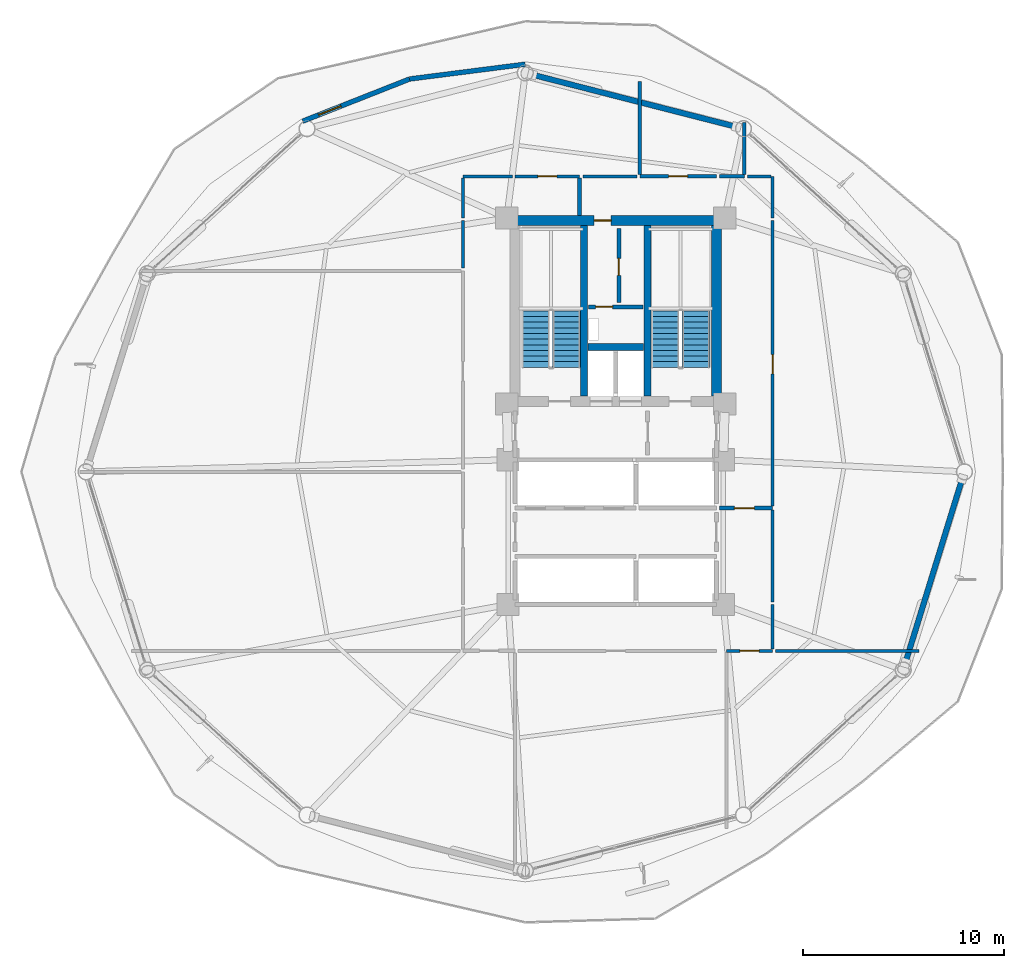
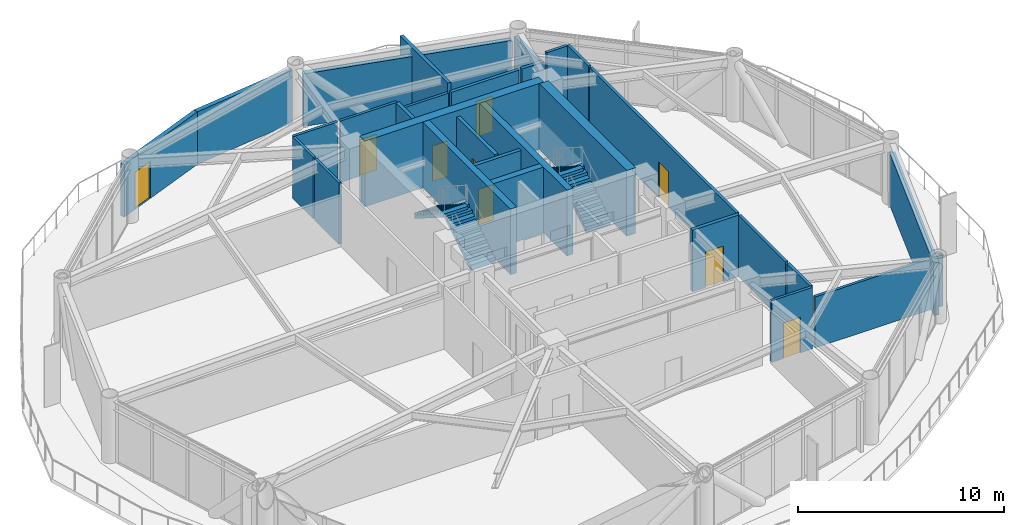
# One storey, part 20 of 23: 29 walls, 9 doors, 4 stair flights, 9 openings, 2 elements without a shape of their own.
"""IFC4 building model written with IfcOpenShell, lengths in metres."""

from ifc_helpers import new_model, si_unit, direction, frame, frame_2d, origin, place, context, subcontext, project, spatial, polyline, rectangle, outline, extrude, material, layer, layer_set, type_object, element, fill, aggregate, save


model = new_model("IFC4")

# Units and contexts
model_context = context("Model", 3, precision=1e-05, world=origin(), true_north=direction((0.0, 1.0)))
body_context = subcontext(model_context, "Body", "Model", "MODEL_VIEW")
ifc_project = project(units=[si_unit("LENGTHUNIT", "METRE"), si_unit("AREAUNIT", "SQUARE_METRE"), si_unit("VOLUMEUNIT", "CUBIC_METRE"), si_unit("PLANEANGLEUNIT", "RADIAN"), si_unit("MASSUNIT", "GRAM", prefix="KILO")], contexts=[model_context])

# Site, building, storey
site_placement = place(None, origin())
site = spatial("IfcSite", under=ifc_project, at=site_placement, CompositionType="ELEMENT")
building_placement = place(site_placement, origin())
building = spatial("IfcBuilding", under=site, at=building_placement, Name="Varnakorn Sky Granary", CompositionType="ELEMENT")
storey_placement = place(building_placement, frame((0.0, 0.0, 83.699951171875)))
storey = spatial("IfcBuildingStorey", under=building, at=storey_placement, Name="L20", CompositionType="ELEMENT", Elevation=83.699951171875)

# Walls
ifc_material_1 = material(Name="Concrete C50/60", Category="concrete")
ifc_layer_1 = layer(ifc_material_1, 0.35009765625, Name="Concrete C50/60")
ifc_layer_set_1 = layer_set([ifc_layer_1], Name="Concrete C50/60")
wall_type_1 = type_object("IfcWallType", Name="WT-CW-INT-350", PredefinedType="SHEAR", material=ifc_layer_set_1)
for number, where, z_axis, x_axis, name in (
    (1, (1.419921875, 3.760009765625, 0.0), (0.0, 0.0, 1.0), (0.0, 1.0, 0.0), "Stair ST-1 Core Wall L20"),
    (2, (4.580078125, 3.760009765625, 0.0), (0.0, 0.0, 1.0), (0.0, 1.0, 0.0), "Stair ST-2 Core Wall L20"),
):
    element("IfcWall", number, at=place(storey_placement, frame(where, z_axis=z_axis, x_axis=x_axis)), inside=storey, type_object=wall_type_1, Name=name, PredefinedType="SHEAR", context=body_context, shape_type="SweptSolid", body=[
        extrude(rectangle(XDim=8.47998046875, YDim=0.35009765625, at=frame_2d((4.239990234375, 0.0))), origin(), (0.0, 0.0, 1.0), 3.89208984375),
    ])
wall_1_placement = place(storey_placement, frame((1.610107421875, 6.199951171875, 0.0), z_axis=(0.0, 0.0, 1.0), x_axis=(1.0, 0.0, 0.0)))
element("IfcWall", 3, at=wall_1_placement, inside=storey, type_object=wall_type_1, Name="Core Lift Shaft Cross Wall L20", PredefinedType="SHEAR", context=body_context, shape_type="SweptSolid", body=[
    extrude(rectangle(XDim=2.77978515625, YDim=0.35009765625, at=frame_2d((1.389892578125, 0.0))), origin(), (0.0, 0.0, 1.0), 3.89208984375),
])

# Wall, opening, door
ifc_material_2 = material(Name="Concrete C60/75", Category="concrete")
ifc_layer_2 = layer(ifc_material_2, 0.5, Name="Concrete C60/75")
ifc_layer_set_2 = layer_set([ifc_layer_2], Name="Concrete C60/75")
wall_type_2 = type_object("IfcWallType", Name="WT-CW-SHEAR-500", PredefinedType="SHEAR", material=ifc_layer_set_2)
wall_2_placement = place(storey_placement, frame((-2.0, 12.5, 0.0), z_axis=(0.0, 0.0, 1.0), x_axis=(1.0, 0.0, 0.0)))
wall_2 = element("IfcWall", 4, at=wall_2_placement, inside=storey, type_object=wall_type_2, Name="Core North Shear Wall L20", PredefinedType="SHEAR", context=body_context, shape_type="SweptSolid", body=[
    extrude(rectangle(XDim=10.0, YDim=0.5, at=frame_2d((5.0, 0.0))), origin(), (0.0, 0.0, 1.0), 3.89208984375),
])
opening_1_placement = place(wall_2_placement, frame((3.919921875, 0.0, 0.0)))
opening_1 = element("IfcOpeningElement", 5, at=opening_1_placement, cuts=wall_2, Name="Opening FD-60N", PredefinedType="OPENING", context=body_context, shape_type="SweptSolid", body=[
    extrude(rectangle(XDim=0.85009765625, YDim=2.10009765625, at=frame_2d((0.425048828125, 1.050048828125))), frame((0.0, 0.260009765625, 0.0), z_axis=(0.0, -1.0, 0.0), x_axis=(1.0, 0.0, 0.0)), (0.0, 0.0, 1.0), 0.52001953125),
])
ifc_material_3 = material(Name="Acoustic Timber Fire Leaf", Category="wood")
door_type_1 = type_object("IfcDoorType", Name="DR-FD60-850", OperationType="NOTDEFINED", PredefinedType="DOOR", material=ifc_material_3)
door_1_placement = place(opening_1_placement, origin())
door_1 = element("IfcDoor", 6, at=door_1_placement, inside=storey, type_object=door_type_1, Name="Core North Service Door L20", OperationType="SINGLE_SWING_RIGHT", OverallHeight=2.10009765625, OverallWidth=0.85009765625, PredefinedType="DOOR", context=body_context, shape_type="SweptSolid", body=[
    extrude(rectangle(XDim=0.85009765625, YDim=2.10009765625, at=frame_2d((0.425048828125, 1.050048828125))), frame((0.0, 0.02490234375, 0.0), z_axis=(0.0, -1.0, 0.0), x_axis=(1.0, 0.0, 0.0)), (0.0, 0.0, 1.0), 0.050048828125),
])
fill(opening_1, door_1)

# Walls
wall_3_placement = place(storey_placement, frame((8.0, 3.760009765625, 0.0), z_axis=(0.0, 0.0, 1.0), x_axis=(0.0, 1.0, 0.0)))
element("IfcWall", 7, at=wall_3_placement, inside=storey, type_object=wall_type_2, Name="Core East Shear Wall L20", PredefinedType="SHEAR", context=body_context, shape_type="SweptSolid", body=[
    extrude(rectangle(XDim=8.47998046875, YDim=0.5, at=frame_2d((4.239990234375, 0.0))), origin(), (0.0, 0.0, 1.0), 3.89208984375),
])
ifc_material_4 = material(Name="Precast concrete C40/50", Category="concrete")
ifc_layer_3 = layer(ifc_material_4, 0.239990234375, Name="Precast concrete C40/50")
ifc_layer_set_3 = layer_set([ifc_layer_3], Name="Precast concrete C40/50")
wall_type_3 = type_object("IfcWallType", Name="WT-EW-BAL-260", PredefinedType="SOLIDWALL", material=ifc_layer_set_3)
wall_4_placement = place(storey_placement, frame((-7.252197265625, 19.537841796875, 0.0), z_axis=(0.0, 0.0, 1.0), x_axis=(0.991953942336, 0.12659927442, 0.0)))
element("IfcWall", 8, at=wall_4_placement, inside=storey, type_object=wall_type_3, Name="Balcony Threshold Facade Wall L20-B04A", PredefinedType="SOLIDWALL", context=body_context, shape_type="SweptSolid", body=[
    extrude(rectangle(XDim=5.798828125, YDim=0.239990234375, at=frame_2d((2.8994140625, 0.0))), origin(), (0.0, 0.0, 1.0), 3.110107421875),
])

# Wall, opening, door
wall_5_placement = place(storey_placement, frame((-12.5673828125, 17.439208984375, 0.0), z_axis=(0.0, 0.0, 1.0), x_axis=(0.930123348332, 0.367247269407, 0.0)))
wall_5 = element("IfcWall", 9, at=wall_5_placement, inside=storey, type_object=wall_type_3, Name="Balcony Return Facade Wall L20-B04B", PredefinedType="SOLIDWALL", context=body_context, shape_type="SweptSolid", body=[
    extrude(rectangle(XDim=5.714599609375, YDim=0.239990234375, at=frame_2d((2.857421875, 0.0))), origin(), (0.0, 0.0, 1.0), 3.110107421875),
])
opening_2_placement = place(wall_5_placement, frame((0.85009765625, 0.0, 0.0)))
opening_2 = element("IfcOpeningElement", 10, at=opening_2_placement, cuts=wall_5, Name="Opening BD-01", PredefinedType="OPENING", context=body_context, shape_type="SweptSolid", body=[
    extrude(rectangle(XDim=1.199951171875, YDim=2.199951171875, at=frame_2d((0.60009765625, 1.10009765625))), frame((0.0, 0.1298828125, 0.0), z_axis=(0.0, -1.0, 0.0), x_axis=(1.0, 0.0, 0.0)), (0.0, 0.0, 1.0), 0.260009765625),
])
ifc_material_5 = material(Name="Anodised Bronze Aluminium Alloy 6063-T6", Category="aluminium")
door_type_2 = type_object("IfcDoorType", Name="DR-BAL-1200", OperationType="NOTDEFINED", PredefinedType="DOOR", material=ifc_material_5)
door_2_placement = place(opening_2_placement, origin())
door_2 = element("IfcDoor", 11, at=door_2_placement, inside=storey, type_object=door_type_2, Name="Sky-Farm Balcony Access Door L20", OperationType="SINGLE_SWING_RIGHT", OverallHeight=2.199951171875, OverallWidth=1.199951171875, PredefinedType="DOOR", context=body_context, shape_type="SweptSolid", body=[
    extrude(rectangle(XDim=1.199951171875, YDim=2.199951171875, at=frame_2d((0.60009765625, 1.10009765625))), frame((0.0, 0.02490234375, 0.0), z_axis=(0.0, -1.0, 0.0), x_axis=(1.0, 0.0, 0.0)), (0.0, 0.0, 1.0), 0.050048828125),
])
fill(opening_2, door_2)

# Walls
ifc_layer_4 = layer(ifc_material_4, 0.280029296875, Name="Precast concrete C40/50")
ifc_layer_set_4 = layer_set([ifc_layer_4], Name="Precast concrete C40/50")
wall_type_4 = type_object("IfcWallType", Name="WT-EW-CRN-280", PredefinedType="SOLIDWALL", material=ifc_layer_set_4)
wall_6_placement = place(storey_placement, frame((-1.14990234375, 19.75244140625, 0.0), z_axis=(0.0, 0.0, 1.0), x_axis=(0.968827937692, -0.247734590132, 0.0)))
element("IfcWall", 12, at=wall_6_placement, inside=storey, type_object=wall_type_4, Name="Agritech Insulated Precast Facade Wall L20-P03", PredefinedType="SOLIDWALL", context=body_context, shape_type="SweptSolid", body=[
    extrude(rectangle(XDim=10.478759765625, YDim=0.280029296875, at=frame_2d((5.2392578125, 0.0))), origin(), (0.0, 0.0, 1.0), 3.110107421875),
])
wall_7_placement = place(storey_placement, frame((20.2333984375, -0.345458984375, 0.0), z_axis=(0.0, 0.0, 1.0), x_axis=(-0.295069648404, -0.955475746731, 0.0)))
element("IfcWall", 13, at=wall_7_placement, inside=storey, type_object=wall_type_4, Name="Agritech Insulated Precast Facade Wall L20-P12", PredefinedType="SOLIDWALL", context=body_context, shape_type="SweptSolid", body=[
    extrude(rectangle(XDim=9.589599609375, YDim=0.280029296875, at=frame_2d((4.794921875, 0.0))), origin(), (0.0, 0.0, 1.0), 3.110107421875),
])

# Wall, opening, door
ifc_material_6 = material(Name="Autoclaved Aerated Concrete Blockwork", Category="masonry")
ifc_layer_5 = layer(ifc_material_6, 0.199951171875, Name="Autoclaved Aerated Concrete Blockwork")
ifc_layer_set_5 = layer_set([ifc_layer_5], Name="Autoclaved Aerated Concrete Blockwork")
wall_type_5 = type_object("IfcWallType", Name="WT-FIRE-200", PredefinedType="MOVABLE", material=ifc_layer_set_5)
wall_8_placement = place(storey_placement, frame((1.64990234375, 8.199951171875, 0.0), z_axis=(0.0, 0.0, 1.0), x_axis=(1.0, 0.0, 0.0)))
wall_8 = element("IfcWall", 14, at=wall_8_placement, inside=storey, type_object=wall_type_5, Name="Interior Partition Wall L20-015", PredefinedType="MOVABLE", context=body_context, shape_type="SweptSolid", body=[
    extrude(rectangle(XDim=2.7001953125, YDim=0.199951171875, at=frame_2d((1.35009765625, 0.0))), origin(), (0.0, 0.0, 1.0), 3.64013671875),
])
opening_3_placement = place(wall_8_placement, frame((0.35009765625, 0.0, 0.0)))
opening_3 = element("IfcOpeningElement", 15, at=opening_3_placement, cuts=wall_8, Name="Opening FD-60N", PredefinedType="OPENING", context=body_context, shape_type="SweptSolid", body=[
    extrude(rectangle(XDim=0.85009765625, YDim=2.10009765625, at=frame_2d((0.425048828125, 1.050048828125))), frame((0.0, 0.10986328125, 0.0), z_axis=(0.0, -1.0, 0.0), x_axis=(1.0, 0.0, 0.0)), (0.0, 0.0, 1.0), 0.219970703125),
])
door_3_placement = place(opening_3_placement, origin())
door_3 = element("IfcDoor", 16, at=door_3_placement, inside=storey, type_object=door_type_1, Name="Interior Door L20-015-1", OperationType="SINGLE_SWING_RIGHT", OverallHeight=2.10009765625, OverallWidth=0.85009765625, PredefinedType="DOOR", context=body_context, shape_type="SweptSolid", body=[
    extrude(rectangle(XDim=0.85009765625, YDim=2.10009765625, at=frame_2d((0.425048828125, 1.050048828125))), frame((0.0, 0.02490234375, 0.0), z_axis=(0.0, -1.0, 0.0), x_axis=(1.0, 0.0, 0.0)), (0.0, 0.0, 1.0), 0.050048828125),
])
fill(opening_3, door_3)

wall_9_placement = place(storey_placement, frame((3.14990234375, 8.429931640625, 0.0), z_axis=(0.0, 0.0, 1.0), x_axis=(0.0, 1.0, 0.0)))
wall_9 = element("IfcWall", 17, at=wall_9_placement, inside=storey, type_object=wall_type_5, Name="Interior Partition Wall L20-016", PredefinedType="MOVABLE", context=body_context, shape_type="SweptSolid", body=[
    extrude(rectangle(XDim=3.670166015625, YDim=0.199951171875, at=frame_2d((1.8349609375, 0.0))), origin(), (0.0, 0.0, 1.0), 3.64013671875),
])
opening_4_placement = place(wall_9_placement, frame((1.340087890625, 0.0, 0.0)))
opening_4 = element("IfcOpeningElement", 18, at=opening_4_placement, cuts=wall_9, Name="Opening FD-60N", PredefinedType="OPENING", context=body_context, shape_type="SweptSolid", body=[
    extrude(rectangle(XDim=0.85009765625, YDim=2.10009765625, at=frame_2d((0.425048828125, 1.050048828125))), frame((0.0, 0.10986328125, 0.0), z_axis=(0.0, -1.0, 0.0), x_axis=(1.0, 0.0, 0.0)), (0.0, 0.0, 1.0), 0.219970703125),
])
door_4_placement = place(opening_4_placement, origin())
door_4 = element("IfcDoor", 19, at=door_4_placement, inside=storey, type_object=door_type_1, Name="Interior Door L20-016-1", OperationType="SINGLE_SWING_LEFT", OverallHeight=2.10009765625, OverallWidth=0.85009765625, PredefinedType="DOOR", context=body_context, shape_type="SweptSolid", body=[
    extrude(rectangle(XDim=0.85009765625, YDim=2.10009765625, at=frame_2d((0.425048828125, 1.050048828125))), frame((0.0, 0.02490234375, 0.0), z_axis=(0.0, -1.0, 0.0), x_axis=(1.0, 0.0, 0.0)), (0.0, 0.0, 1.0), 0.050048828125),
])
fill(opening_4, door_4)

wall_10_placement = place(storey_placement, frame((8.159912109375, -1.800048828125, 0.0), z_axis=(0.0, 0.0, 1.0), x_axis=(1.0, 0.0, 0.0)))
wall_10 = element("IfcWall", 20, at=wall_10_placement, inside=storey, type_object=wall_type_5, Name="Interior Partition Wall L20-022", PredefinedType="MOVABLE", context=body_context, shape_type="SweptSolid", body=[
    extrude(rectangle(XDim=2.64013671875, YDim=0.199951171875, at=frame_2d((1.320068359375, 0.0))), origin(), (0.0, 0.0, 1.0), 3.64013671875),
])
opening_5_placement = place(wall_10_placement, frame((0.739990234375, 0.0, 0.0)))
opening_5 = element("IfcOpeningElement", 21, at=opening_5_placement, cuts=wall_10, Name="Opening FD-60", PredefinedType="OPENING", context=body_context, shape_type="SweptSolid", body=[
    extrude(rectangle(XDim=1.0, YDim=2.10009765625, at=frame_2d((0.5, 1.050048828125))), frame((0.0, 0.10986328125, 0.0), z_axis=(0.0, -1.0, 0.0), x_axis=(1.0, 0.0, 0.0)), (0.0, 0.0, 1.0), 0.219970703125),
])
door_type_3 = type_object("IfcDoorType", Name="DR-FD60-1000", OperationType="NOTDEFINED", PredefinedType="DOOR", material=ifc_material_3)
door_5_placement = place(opening_5_placement, origin())
door_5 = element("IfcDoor", 22, at=door_5_placement, inside=storey, type_object=door_type_3, Name="Interior Door L20-022-1", OperationType="SINGLE_SWING_LEFT", OverallHeight=2.10009765625, OverallWidth=1.0, PredefinedType="DOOR", context=body_context, shape_type="SweptSolid", body=[
    extrude(rectangle(XDim=1.0, YDim=2.10009765625, at=frame_2d((0.5, 1.050048828125))), frame((0.0, 0.02490234375, 0.0), z_axis=(0.0, -1.0, 0.0), x_axis=(1.0, 0.0, 0.0)), (0.0, 0.0, 1.0), 0.050048828125),
])
fill(opening_5, door_5)

# Wall
wall_11_placement = place(storey_placement, frame((1.199951171875, 14.614990234375, 0.0), z_axis=(0.0, 0.0, 1.0), x_axis=(0.0, -1.0, 0.0)))
element("IfcWall", 23, at=wall_11_placement, inside=storey, type_object=wall_type_5, Name="Interior Partition Wall L20-032", PredefinedType="MOVABLE", context=body_context, shape_type="SweptSolid", body=[
    extrude(rectangle(XDim=1.85498046875, YDim=0.199951171875, at=frame_2d((0.927490234375, 0.0))), origin(), (0.0, 0.0, 1.0), 3.64013671875),
])

# Wall, opening, door
ifc_material_7 = material(Name="Gypsum Plasterboard on Steel Stud", Category="steel")
ifc_layer_6 = layer(ifc_material_7, 0.14990234375, Name="Gypsum Plasterboard on Steel Stud")
ifc_layer_set_6 = layer_set([ifc_layer_6], Name="Gypsum Plasterboard on Steel Stud")
wall_type_6 = type_object("IfcWallType", Name="WT-PART-150", PredefinedType="PARTITIONING", material=ifc_layer_set_6)
wall_12_placement = place(storey_placement, frame((8.5, -8.89990234375, 0.0), z_axis=(0.0, 0.0, 1.0), x_axis=(1.0, 0.0, 0.0)))
wall_12 = element("IfcWall", 24, at=wall_12_placement, inside=storey, type_object=wall_type_6, Name="Interior Partition Wall L20-026", PredefinedType="PARTITIONING", context=body_context, shape_type="SweptSolid", body=[
    extrude(rectangle(XDim=2.300048828125, YDim=0.14990234375, at=frame_2d((1.14990234375, 0.0))), origin(), (0.0, 0.0, 1.0), 3.64013671875),
])
opening_6_placement = place(wall_12_placement, frame((0.675048828125, 0.0, 0.0)))
opening_6 = element("IfcOpeningElement", 25, at=opening_6_placement, cuts=wall_12, Name="Opening ID-95", PredefinedType="OPENING", context=body_context, shape_type="SweptSolid", body=[
    extrude(rectangle(XDim=0.949951171875, YDim=2.10009765625, at=frame_2d((0.47509765625, 1.050048828125))), frame((0.0, 0.0849609375, 0.0), z_axis=(0.0, -1.0, 0.0), x_axis=(1.0, 0.0, 0.0)), (0.0, 0.0, 1.0), 0.169921875),
])
ifc_material_8 = material(Name="Solid-Core Teak Veneer Leaf", Category="timber")
door_type_4 = type_object("IfcDoorType", Name="DR-INT-950", OperationType="NOTDEFINED", PredefinedType="DOOR", material=ifc_material_8)
door_6_placement = place(opening_6_placement, origin())
door_6 = element("IfcDoor", 26, at=door_6_placement, inside=storey, type_object=door_type_4, Name="Interior Door L20-026-1", OperationType="SINGLE_SWING_LEFT", OverallHeight=2.10009765625, OverallWidth=0.949951171875, PredefinedType="DOOR", context=body_context, shape_type="SweptSolid", body=[
    extrude(rectangle(XDim=0.949951171875, YDim=2.10009765625, at=frame_2d((0.47509765625, 1.050048828125))), frame((0.0, 0.02490234375, 0.0), z_axis=(0.0, -1.0, 0.0), x_axis=(1.0, 0.0, 0.0)), (0.0, 0.0, 1.0), 0.050048828125),
])
fill(opening_6, door_6)

wall_13_placement = place(storey_placement, frame((1.199951171875, 14.699951171875, 0.0), z_axis=(0.0, 0.0, 1.0), x_axis=(-1.0, 0.0, 0.0)))
wall_13 = element("IfcWall", 27, at=wall_13_placement, inside=storey, type_object=wall_type_6, Name="Interior Partition Wall L20-029", PredefinedType="PARTITIONING", context=body_context, shape_type="SweptSolid", body=[
    extrude(rectangle(XDim=3.199951171875, YDim=0.14990234375, at=frame_2d((1.60009765625, 0.0))), origin(), (0.0, 0.0, 1.0), 3.64013671875),
])
opening_7_placement = place(wall_13_placement, frame((1.125, 0.0, 0.0)))
opening_7 = element("IfcOpeningElement", 28, at=opening_7_placement, cuts=wall_13, Name="Opening ID-95", PredefinedType="OPENING", context=body_context, shape_type="SweptSolid", body=[
    extrude(rectangle(XDim=0.949951171875, YDim=2.10009765625, at=frame_2d((0.47509765625, 1.050048828125))), frame((0.0, 0.0849609375, 0.0), z_axis=(0.0, -1.0, 0.0), x_axis=(1.0, 0.0, 0.0)), (0.0, 0.0, 1.0), 0.169921875),
])
door_7_placement = place(opening_7_placement, origin())
door_7 = element("IfcDoor", 29, at=door_7_placement, inside=storey, type_object=door_type_4, Name="Interior Door L20-029-1", OperationType="SINGLE_SWING_RIGHT", OverallHeight=2.10009765625, OverallWidth=0.949951171875, PredefinedType="DOOR", context=body_context, shape_type="SweptSolid", body=[
    extrude(rectangle(XDim=0.949951171875, YDim=2.10009765625, at=frame_2d((0.47509765625, 1.050048828125))), frame((0.0, 0.02490234375, 0.0), z_axis=(0.0, -1.0, 0.0), x_axis=(1.0, 0.0, 0.0)), (0.0, 0.0, 1.0), 0.050048828125),
])
fill(opening_7, door_7)

wall_14_placement = place(storey_placement, frame((10.800048828125, -1.68994140625, 0.0), z_axis=(0.0, 0.0, 1.0), x_axis=(0.0, 1.0, 0.0)))
wall_14 = element("IfcWall", 30, at=wall_14_placement, inside=storey, type_object=wall_type_6, Name="Interior Partition Wall L20-030", PredefinedType="PARTITIONING", context=body_context, shape_type="SweptSolid", body=[
    extrude(rectangle(XDim=14.18994140625, YDim=0.14990234375, at=frame_2d((7.094970703125, 0.0))), origin(), (0.0, 0.0, 1.0), 3.64013671875),
])
opening_8_placement = place(wall_14_placement, frame((6.56494140625, 0.0, 0.0)))
opening_8 = element("IfcOpeningElement", 31, at=opening_8_placement, cuts=wall_14, Name="Opening ID-95", PredefinedType="OPENING", context=body_context, shape_type="SweptSolid", body=[
    extrude(rectangle(XDim=0.949951171875, YDim=2.10009765625, at=frame_2d((0.47509765625, 1.050048828125))), frame((0.0, 0.0849609375, 0.0), z_axis=(0.0, -1.0, 0.0), x_axis=(1.0, 0.0, 0.0)), (0.0, 0.0, 1.0), 0.169921875),
])
door_8_placement = place(opening_8_placement, origin())
door_8 = element("IfcDoor", 32, at=door_8_placement, inside=storey, type_object=door_type_4, Name="Interior Door L20-030-1", OperationType="SINGLE_SWING_LEFT", OverallHeight=2.10009765625, OverallWidth=0.949951171875, PredefinedType="DOOR", context=body_context, shape_type="SweptSolid", body=[
    extrude(rectangle(XDim=0.949951171875, YDim=2.10009765625, at=frame_2d((0.47509765625, 1.050048828125))), frame((0.0, 0.02490234375, 0.0), z_axis=(0.0, -1.0, 0.0), x_axis=(1.0, 0.0, 0.0)), (0.0, 0.0, 1.0), 0.050048828125),
])
fill(opening_8, door_8)

# Walls
wall_15_placement = place(storey_placement, frame((10.93505859375, -8.89990234375, 0.0), z_axis=(0.0, 0.0, 1.0), x_axis=(1.0, 0.0, 0.0)))
element("IfcWall", 33, at=wall_15_placement, inside=storey, type_object=wall_type_6, Name="Interior Partition Wall L20-037", PredefinedType="PARTITIONING", context=body_context, shape_type="SweptSolid", body=[
    extrude(rectangle(XDim=7.157958984375, YDim=0.14990234375, at=frame_2d((3.5791015625, 0.0))), origin(), (0.0, 0.0, 1.0), 3.02197265625),
])
wall_16_placement = place(storey_placement, frame((-2.135009765625, 14.699951171875, 0.0), z_axis=(0.0, 0.0, 1.0), x_axis=(-1.0, 0.0, 0.0)))
element("IfcWall", 34, at=wall_16_placement, inside=storey, type_object=wall_type_6, Name="Interior Partition Wall L20-041", PredefinedType="PARTITIONING", context=body_context, shape_type="SweptSolid", body=[
    extrude(rectangle(XDim=2.465087890625, YDim=0.14990234375, at=frame_2d((1.232421875, 0.0))), origin(), (0.0, 0.0, 1.0), 3.64013671875),
])
wall_17_placement = place(storey_placement, frame((-4.60009765625, 12.5, 0.0), z_axis=(0.0, 0.0, 1.0), x_axis=(0.0, -1.0, 0.0)))
element("IfcWall", 35, at=wall_17_placement, inside=storey, type_object=wall_type_6, Name="Interior Partition Wall L20-042", PredefinedType="PARTITIONING", context=body_context, shape_type="SweptSolid", body=[
    extrude(rectangle(XDim=2.364990234375, YDim=0.14990234375, at=frame_2d((1.1826171875, 0.0))), origin(), (0.0, 0.0, 1.0), 3.64013671875),
])
wall_18_placement = place(storey_placement, frame((-4.60009765625, 14.614990234375, 0.0), z_axis=(0.0, 0.0, 1.0), x_axis=(0.0, -1.0, 0.0)))
element("IfcWall", 36, at=wall_18_placement, inside=storey, type_object=wall_type_6, Name="Interior Partition Wall L20-043", PredefinedType="PARTITIONING", context=body_context, shape_type="SweptSolid", body=[
    extrude(rectangle(XDim=1.97998046875, YDim=0.14990234375, at=frame_2d((0.989990234375, 0.0))), origin(), (0.0, 0.0, 1.0), 3.64013671875),
])
wall_19_placement = place(storey_placement, frame((4.050048828125, 14.699951171875, 0.0), z_axis=(0.0, 0.0, 1.0), x_axis=(-1.0, 0.0, 0.0)))
element("IfcWall", 37, at=wall_19_placement, inside=storey, type_object=wall_type_6, Name="Interior Partition Wall L20-044", PredefinedType="PARTITIONING", context=body_context, shape_type="SweptSolid", body=[
    extrude(rectangle(XDim=2.68994140625, YDim=0.14990234375, at=frame_2d((1.344970703125, 0.0))), origin(), (0.0, 0.0, 1.0), 3.172119140625),
])
wall_20_placement = place(storey_placement, frame((10.800048828125, 12.635009765625, 0.0), z_axis=(0.0, 0.0, 1.0), x_axis=(0.0, 1.0, 0.0)))
element("IfcWall", 38, at=wall_20_placement, inside=storey, type_object=wall_type_6, Name="Interior Partition Wall L20-046", PredefinedType="PARTITIONING", context=body_context, shape_type="SweptSolid", body=[
    extrude(rectangle(XDim=2.06494140625, YDim=0.14990234375, at=frame_2d((1.032470703125, 0.0))), origin(), (0.0, 0.0, 1.0), 3.64013671875),
])
wall_21_placement = place(storey_placement, frame((10.715087890625, 14.699951171875, 0.0), z_axis=(0.0, 0.0, 1.0), x_axis=(-1.0, 0.0, 0.0)))
element("IfcWall", 39, at=wall_21_placement, inside=storey, type_object=wall_type_6, Name="Interior Partition Wall L20-047", PredefinedType="PARTITIONING", context=body_context, shape_type="SweptSolid", body=[
    extrude(rectangle(XDim=1.1650390625, YDim=0.14990234375, at=frame_2d((0.58251953125, 0.0))), origin(), (0.0, 0.0, 1.0), 3.64013671875),
])
wall_22_placement = place(storey_placement, frame((10.800048828125, -8.81494140625, 0.0), z_axis=(0.0, 0.0, 1.0), x_axis=(0.0, 1.0, 0.0)))
element("IfcWall", 40, at=wall_22_placement, inside=storey, type_object=wall_type_6, Name="Interior Partition Wall L20-048", PredefinedType="PARTITIONING", context=body_context, shape_type="SweptSolid", body=[
    extrude(rectangle(XDim=2.21484375, YDim=0.14990234375, at=frame_2d((1.107421875, 0.0))), origin(), (0.0, 0.0, 1.0), 3.64013671875),
])
wall_23_placement = place(storey_placement, frame((10.800048828125, -6.465087890625, 0.0), z_axis=(0.0, 0.0, 1.0), x_axis=(0.0, 1.0, 0.0)))
element("IfcWall", 41, at=wall_23_placement, inside=storey, type_object=wall_type_6, Name="Interior Partition Wall L20-049", PredefinedType="PARTITIONING", context=body_context, shape_type="SweptSolid", body=[
    extrude(rectangle(XDim=4.55517578125, YDim=0.14990234375, at=frame_2d((2.277587890625, 0.0))), origin(), (0.0, 0.0, 1.0), 3.64013671875),
])

# Wall, opening, door
ifc_material_9 = material(Name="Moisture-Resistant Gypsum on Stud", Category="gypsum")
ifc_layer_7 = layer(ifc_material_9, 0.179931640625, Name="Moisture-Resistant Gypsum on Stud")
ifc_layer_set_7 = layer_set([ifc_layer_7], Name="Moisture-Resistant Gypsum on Stud")
wall_type_7 = type_object("IfcWallType", Name="WT-PLUMB-180", PredefinedType="PLUMBINGWALL", material=ifc_layer_set_7)
wall_24_placement = place(storey_placement, frame((8.0, 14.699951171875, 0.0), z_axis=(0.0, 0.0, 1.0), x_axis=(-1.0, 0.0, 0.0)))
wall_24 = element("IfcWall", 42, at=wall_24_placement, inside=storey, type_object=wall_type_7, Name="Interior Partition Wall L20-023", PredefinedType="PLUMBINGWALL", context=body_context, shape_type="SweptSolid", body=[
    extrude(rectangle(XDim=3.800048828125, YDim=0.179931640625, at=frame_2d((1.89990234375, 0.0))), origin(), (0.0, 0.0, 1.0), 3.172119140625),
])
opening_9_placement = place(wall_24_placement, frame((1.425048828125, 0.0, 0.0)))
opening_9 = element("IfcOpeningElement", 43, at=opening_9_placement, cuts=wall_24, Name="Opening ID-95", PredefinedType="OPENING", context=body_context, shape_type="SweptSolid", body=[
    extrude(rectangle(XDim=0.949951171875, YDim=2.10009765625, at=frame_2d((0.47509765625, 1.050048828125))), frame((0.0, 0.10009765625, 0.0), z_axis=(0.0, -1.0, 0.0), x_axis=(1.0, 0.0, 0.0)), (0.0, 0.0, 1.0), 0.199951171875),
])
door_9_placement = place(opening_9_placement, origin())
door_9 = element("IfcDoor", 44, at=door_9_placement, inside=storey, type_object=door_type_4, Name="Interior Door L20-023-1", OperationType="SINGLE_SWING_RIGHT", OverallHeight=2.10009765625, OverallWidth=0.949951171875, PredefinedType="DOOR", context=body_context, shape_type="SweptSolid", body=[
    extrude(rectangle(XDim=0.949951171875, YDim=2.10009765625, at=frame_2d((0.47509765625, 1.050048828125))), frame((0.0, 0.02490234375, 0.0), z_axis=(0.0, -1.0, 0.0), x_axis=(1.0, 0.0, 0.0)), (0.0, 0.0, 1.0), 0.050048828125),
])
fill(opening_9, door_9)

# Walls
wall_25_placement = place(storey_placement, frame((9.39990234375, 14.699951171875, 0.0), z_axis=(0.0, 0.0, 1.0), x_axis=(-1.0, 0.0, 0.0)))
element("IfcWall", 45, at=wall_25_placement, inside=storey, type_object=wall_type_7, Name="Interior Partition Wall L20-033", PredefinedType="PLUMBINGWALL", context=body_context, shape_type="SweptSolid", body=[
    extrude(rectangle(XDim=1.25, YDim=0.179931640625, at=frame_2d((0.625, 0.0))), origin(), (0.0, 0.0, 1.0), 3.172119140625),
])
wall_26_placement = place(storey_placement, frame((4.199951171875, 19.425048828125, 0.0), z_axis=(0.0, 0.0, 1.0), x_axis=(0.0, -1.0, 0.0)))
element("IfcWall", 46, at=wall_26_placement, inside=storey, type_object=wall_type_7, Name="Interior Partition Wall L20-045", PredefinedType="PLUMBINGWALL", context=body_context, shape_type="SweptSolid", body=[
    extrude(rectangle(XDim=4.625, YDim=0.179931640625, at=frame_2d((2.3125, 0.0))), origin(), (0.0, 0.0, 1.0), 3.64013671875),
])
wall_27_placement = place(storey_placement, frame((9.39990234375, 14.800048828125, 0.0), z_axis=(0.0, 0.0, 1.0), x_axis=(0.0, 1.0, 0.0)))
element("IfcWall", 47, at=wall_27_placement, inside=storey, type_object=wall_type_7, Name="Interior Partition Wall L20-050", PredefinedType="PLUMBINGWALL", context=body_context, shape_type="SweptSolid", body=[
    extrude(rectangle(XDim=2.577880859375, YDim=0.179931640625, at=frame_2d((1.2890625, 0.0))), origin(), (0.0, 0.0, 1.0), 3.02197265625),
])

# Stair, stair flights
ifc_material_10 = material(Name="Concrete C40/50", Category="concrete")
stair_type = type_object("IfcStairType", Name="ST-MAIN-ASSEMBLY", PredefinedType="HALF_TURN_STAIR", material=ifc_material_10)
stair_1_placement = place(storey_placement, origin())
stair_1 = element("IfcStair", 48, at=stair_1_placement, inside=storey, type_object=stair_type, Name="L20 Protected Exit Stair ST-1", PredefinedType="HALF_TURN_STAIR")
stair_flight_type = type_object("IfcStairFlightType", Name="ST-MAIN-FLIGHT", PredefinedType="STRAIGHT", material=ifc_material_10)
stair_flight_1_placement = place(storey_placement, frame((0.550048828125, 5.199951171875, 0.0), z_axis=(0.0, 0.0, 1.0), x_axis=(0.0, 1.0, 0.0)))
stair_flight_1 = element("IfcStairFlight", 49, at=stair_flight_1_placement, type_object=stair_flight_type, Name="ST-1 flight 1", NumberOfRisers=11, NumberOfTreads=10, PredefinedType="STRAIGHT", RiserHeight=0.177272727, TreadLength=0.28, context=body_context, shape_type="SweptSolid", body=[
    extrude(outline(polyline([(0.0, -0.14990234375), (0.0, 0.0), (0.0, 0.17724609375), (0.280029296875, 0.17724609375), (0.280029296875, 0.3544921875), (0.56005859375, 0.3544921875), (0.56005859375, 0.53173828125), (0.840087890625, 0.53173828125), (0.840087890625, 0.708984375), (1.1201171875, 0.708984375), (1.1201171875, 0.886474609375), (1.39990234375, 0.886474609375), (1.39990234375, 1.063720703125), (1.679931640625, 1.063720703125), (1.679931640625, 1.240966796875), (1.9599609375, 1.240966796875), (1.9599609375, 1.418212890625), (2.239990234375, 1.418212890625), (2.239990234375, 1.595458984375), (2.52001953125, 1.595458984375), (2.52001953125, 1.772705078125), (2.800048828125, 1.772705078125), (2.800048828125, 1.949951171875), (2.800048828125, 1.59521484375), (0.050048828125, -0.14990234375), (0.0, -0.14990234375)])), frame((0.0, 0.68994140625, 0.0), z_axis=(0.0, -1.0, 0.0), x_axis=(1.0, 0.0, 0.0)), (0.0, 0.0, 1.0), 1.3798828125),
])
stair_flight_2_placement = place(storey_placement, frame((-0.97998046875, 8.0, 1.949951171875), z_axis=(0.0, 0.0, 1.0), x_axis=(0.0, -1.0, 0.0)))
stair_flight_2 = element("IfcStairFlight", 50, at=stair_flight_2_placement, type_object=stair_flight_type, Name="ST-1 flight 2", NumberOfRisers=11, NumberOfTreads=10, PredefinedType="STRAIGHT", RiserHeight=0.177272727, TreadLength=0.28, context=body_context, shape_type="SweptSolid", body=[
    extrude(outline(polyline([(0.0, -0.14990234375), (0.0, 0.0), (0.0, 0.17724609375), (0.280029296875, 0.17724609375), (0.280029296875, 0.3544921875), (0.56005859375, 0.3544921875), (0.56005859375, 0.53173828125), (0.840087890625, 0.53173828125), (0.840087890625, 0.708984375), (1.1201171875, 0.708984375), (1.1201171875, 0.886474609375), (1.39990234375, 0.886474609375), (1.39990234375, 1.063720703125), (1.679931640625, 1.063720703125), (1.679931640625, 1.240966796875), (1.9599609375, 1.240966796875), (1.9599609375, 1.418212890625), (2.239990234375, 1.418212890625), (2.239990234375, 1.595458984375), (2.52001953125, 1.595458984375), (2.52001953125, 1.772705078125), (2.800048828125, 1.772705078125), (2.800048828125, 1.949951171875), (2.800048828125, 1.59521484375), (0.050048828125, -0.14990234375), (0.0, -0.14990234375)])), frame((0.0, 0.68994140625, 0.0), z_axis=(0.0, -1.0, 0.0), x_axis=(1.0, 0.0, 0.0)), (0.0, 0.0, 1.0), 1.3798828125),
])
aggregate(stair_1, [stair_flight_1, stair_flight_2])

stair_2_placement = place(storey_placement, origin())
stair_2 = element("IfcStair", 51, at=stair_2_placement, inside=storey, type_object=stair_type, Name="L20 Protected Exit Stair ST-2", PredefinedType="HALF_TURN_STAIR")
stair_flight_3_placement = place(storey_placement, frame((6.989990234375, 5.199951171875, 0.0), z_axis=(0.0, 0.0, 1.0), x_axis=(0.0, 1.0, 0.0)))
stair_flight_3 = element("IfcStairFlight", 52, at=stair_flight_3_placement, type_object=stair_flight_type, Name="ST-2 flight 1", NumberOfRisers=11, NumberOfTreads=10, PredefinedType="STRAIGHT", RiserHeight=0.177272727, TreadLength=0.28, context=body_context, shape_type="SweptSolid", body=[
    extrude(outline(polyline([(0.0, -0.14990234375), (0.0, 0.0), (0.0, 0.17724609375), (0.280029296875, 0.17724609375), (0.280029296875, 0.3544921875), (0.56005859375, 0.3544921875), (0.56005859375, 0.53173828125), (0.840087890625, 0.53173828125), (0.840087890625, 0.708984375), (1.1201171875, 0.708984375), (1.1201171875, 0.886474609375), (1.39990234375, 0.886474609375), (1.39990234375, 1.063720703125), (1.679931640625, 1.063720703125), (1.679931640625, 1.240966796875), (1.9599609375, 1.240966796875), (1.9599609375, 1.418212890625), (2.239990234375, 1.418212890625), (2.239990234375, 1.595458984375), (2.52001953125, 1.595458984375), (2.52001953125, 1.772705078125), (2.800048828125, 1.772705078125), (2.800048828125, 1.949951171875), (2.800048828125, 1.59521484375), (0.050048828125, -0.14990234375), (0.0, -0.14990234375)])), frame((0.0, 0.68994140625, 0.0), z_axis=(0.0, -1.0, 0.0), x_axis=(1.0, 0.0, 0.0)), (0.0, 0.0, 1.0), 1.3798828125),
])
stair_flight_4_placement = place(storey_placement, frame((5.4599609375, 8.0, 1.949951171875), z_axis=(0.0, 0.0, 1.0), x_axis=(0.0, -1.0, 0.0)))
stair_flight_4 = element("IfcStairFlight", 53, at=stair_flight_4_placement, type_object=stair_flight_type, Name="ST-2 flight 2", NumberOfRisers=11, NumberOfTreads=10, PredefinedType="STRAIGHT", RiserHeight=0.177272727, TreadLength=0.28, context=body_context, shape_type="SweptSolid", body=[
    extrude(outline(polyline([(0.0, -0.14990234375), (0.0, 0.0), (0.0, 0.17724609375), (0.280029296875, 0.17724609375), (0.280029296875, 0.3544921875), (0.56005859375, 0.3544921875), (0.56005859375, 0.53173828125), (0.840087890625, 0.53173828125), (0.840087890625, 0.708984375), (1.1201171875, 0.708984375), (1.1201171875, 0.886474609375), (1.39990234375, 0.886474609375), (1.39990234375, 1.063720703125), (1.679931640625, 1.063720703125), (1.679931640625, 1.240966796875), (1.9599609375, 1.240966796875), (1.9599609375, 1.418212890625), (2.239990234375, 1.418212890625), (2.239990234375, 1.595458984375), (2.52001953125, 1.595458984375), (2.52001953125, 1.772705078125), (2.800048828125, 1.772705078125), (2.800048828125, 1.949951171875), (2.800048828125, 1.59521484375), (0.050048828125, -0.14990234375), (0.0, -0.14990234375)])), frame((0.0, 0.68994140625, 0.0), z_axis=(0.0, -1.0, 0.0), x_axis=(1.0, 0.0, 0.0)), (0.0, 0.0, 1.0), 1.3798828125),
])
aggregate(stair_2, [stair_flight_3, stair_flight_4])

save(model, "model.ifc")
